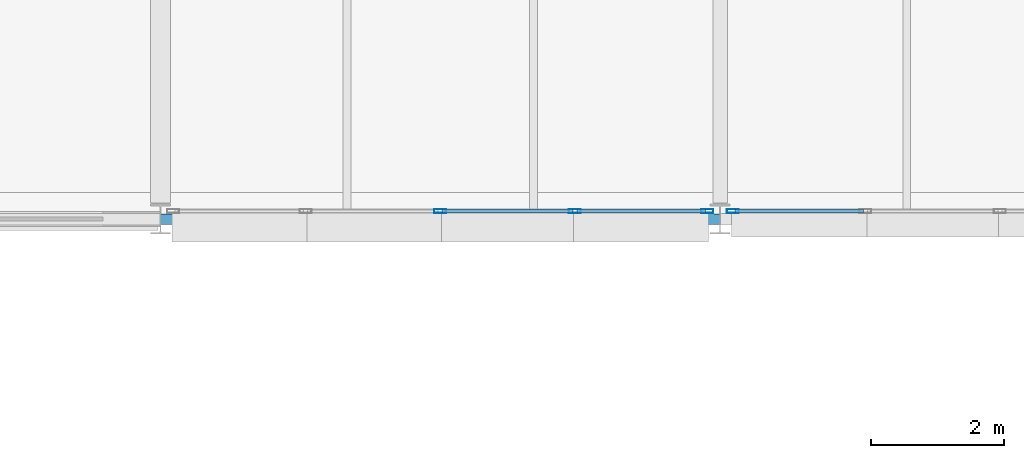
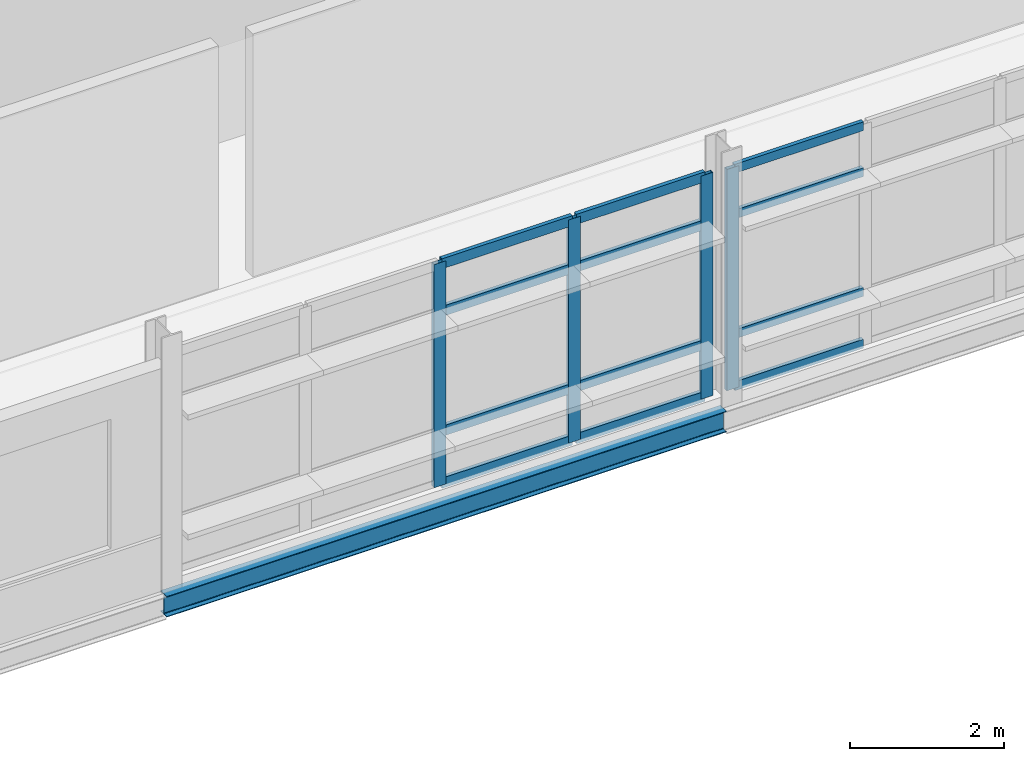
# One storey, part 57 of 103: 16 members, 1 beam, 2 elements without a shape of their own.
"""IFC4 building model written with IfcOpenShell, lengths in metres."""

from ifc_helpers import new_model, si_unit, direction, frame, origin, origin_2d, place, context, subcontext, project, spatial, hollow_rectangle, i_section, extrude, material, material_profile, profile_set, type_object, element, aggregate, save


model = new_model("IFC4")

# Units and contexts
model_context = context("Model", 3, precision=1e-05, world=origin(), true_north=direction((0.0, 1.0)))
body_context = subcontext(model_context, "Body", "Model", "MODEL_VIEW")
ifc_project = project(units=[si_unit("LENGTHUNIT", "METRE"), si_unit("AREAUNIT", "SQUARE_METRE"), si_unit("VOLUMEUNIT", "CUBIC_METRE"), si_unit("PLANEANGLEUNIT", "RADIAN"), si_unit("MASSUNIT", "GRAM", prefix="KILO")], contexts=[model_context])

# Site, building, storey
site_placement = place(None, origin())
site = spatial("IfcSite", under=ifc_project, at=site_placement, CompositionType="ELEMENT")
building_placement = place(site_placement, origin())
building = spatial("IfcBuilding", under=site, at=building_placement, Name="Mersafa Astral City Hall", CompositionType="ELEMENT")
storey_placement = place(building_placement, frame((0.0, 0.0, 18.0)))
storey = spatial("IfcBuildingStorey", under=building, at=storey_placement, Name="L04", CompositionType="ELEMENT", Elevation=18.0)

# Curtain wall, members
ifc_material_1 = material(Name="Anodised bronze aluminium framing", Category="aluminium")
curtain_wall_type_1 = type_object("IfcCurtainWallType", Name="ENV-CW-3", PredefinedType="USERDEFINED", material=ifc_material_1)
curtain_wall_1_placement = place(storey_placement, origin())
curtain_wall_1 = element("IfcCurtainWall", 1, at=curtain_wall_1_placement, inside=storey, type_object=curtain_wall_type_1, Name="L04 Unitised solar curtain wall 218", ObjectType="UNITISED CURTAIN WALL", PredefinedType="USERDEFINED")
ifc_material_profile_1 = material_profile(ifc_material_1, hollow_rectangle(XDim=0.06005859375, YDim=0.179931640625, WallThickness=0.00390625, at=origin_2d()), Name="RHS 60x180x4")
ifc_profile_set_1 = profile_set([ifc_material_profile_1], Name="Anodised bronze aluminium framing")
member_type_1 = type_object("IfcMemberType", Name="ENV-CW-MUL-1", PredefinedType="MULLION", material=ifc_profile_set_1)
member_1_placement = place(storey_placement, frame((130.199951171875, 117.719970703125, -0.001953125), z_axis=(0.0, 0.0, 1.0), x_axis=(0.0, 1.0, 0.0)))
member_1 = element("IfcMember", 2, at=member_1_placement, type_object=member_type_1, Name="CW-3 mullion 3", PredefinedType="MULLION", context=body_context, shape_type="SweptSolid", body=[
    extrude(hollow_rectangle(XDim=0.06005859375, YDim=0.179931640625, WallThickness=0.00390625, at=origin_2d()), origin(), (0.0, 0.0, 1.0), 3.5390625),
])
member_2_placement = place(storey_placement, frame((132.218994140625, 117.719970703125, -0.001953125), z_axis=(0.0, 0.0, 1.0), x_axis=(0.0, 1.0, 0.0)))
member_2 = element("IfcMember", 3, at=member_2_placement, type_object=member_type_1, Name="CW-3 mullion 4", PredefinedType="MULLION", context=body_context, shape_type="SweptSolid", body=[
    extrude(hollow_rectangle(XDim=0.06005859375, YDim=0.179931640625, WallThickness=0.00390625, at=origin_2d()), origin(), (0.0, 0.0, 1.0), 3.5390625),
])
member_3_placement = place(storey_placement, frame((134.2080078125, 117.719970703125, -0.001953125), z_axis=(0.0, 0.0, 1.0), x_axis=(0.0, 1.0, 0.0)))
member_3 = element("IfcMember", 4, at=member_3_placement, type_object=member_type_1, Name="CW-3 mullion 5", PredefinedType="MULLION", context=body_context, shape_type="SweptSolid", body=[
    extrude(hollow_rectangle(XDim=0.06005859375, YDim=0.179931640625, WallThickness=0.00390625, at=origin_2d()), origin(), (0.0, 0.0, 1.0), 3.5390625),
])

curtain_wall_type_2 = type_object("IfcCurtainWallType", Name="ENV-CW-4", PredefinedType="USERDEFINED", material=ifc_material_1)
curtain_wall_2_placement = place(storey_placement, origin())
curtain_wall_2 = element("IfcCurtainWall", 5, at=curtain_wall_2_placement, inside=storey, type_object=curtain_wall_type_2, Name="L04 Unitised solar curtain wall 219", ObjectType="UNITISED CURTAIN WALL", PredefinedType="USERDEFINED")
member_4_placement = place(storey_placement, frame((134.592041015625, 117.719970703125, -0.001953125), z_axis=(0.0, 0.0, 1.0), x_axis=(0.0, 1.0, 0.0)))
member_4 = element("IfcMember", 6, at=member_4_placement, type_object=member_type_1, Name="CW-4 mullion 1", PredefinedType="MULLION", context=body_context, shape_type="SweptSolid", body=[
    extrude(hollow_rectangle(XDim=0.06005859375, YDim=0.179931640625, WallThickness=0.00390625, at=origin_2d()), origin(), (0.0, 0.0, 1.0), 3.509033203125),
])
ifc_material_profile_2 = material_profile(ifc_material_1, hollow_rectangle(XDim=0.06005859375, YDim=0.139892578125, WallThickness=0.00390625, at=origin_2d()), Name="RHS 60x140x4")
ifc_profile_set_2 = profile_set([ifc_material_profile_2], Name="Anodised bronze aluminium framing")
member_type_2 = type_object("IfcMemberType", Name="ENV-CW-TRN-1", PredefinedType="USERDEFINED", material=ifc_profile_set_2)
member_5_placement = place(storey_placement, frame((134.6220703125, 117.719970703125, 0.028076171875), z_axis=(1.0, 0.0, 0.0), x_axis=(0.0, 1.0, 0.0)))
member_5 = element("IfcMember", 7, at=member_5_placement, type_object=member_type_2, Name="CW-4 transom 1.1", ObjectType="TRANSOM", PredefinedType="USERDEFINED", context=body_context, shape_type="SweptSolid", body=[
    extrude(hollow_rectangle(XDim=0.06005859375, YDim=0.139892578125, WallThickness=0.00390625, at=origin_2d()), origin(), (0.0, 0.0, 1.0), 1.928955078125),
])
member_6_placement = place(storey_placement, frame((134.6220703125, 117.719970703125, 0.85009765625), z_axis=(1.0, 0.0, 0.0), x_axis=(0.0, 1.0, 0.0)))
member_6 = element("IfcMember", 8, at=member_6_placement, type_object=member_type_2, Name="CW-4 transom 1.2", ObjectType="TRANSOM", PredefinedType="USERDEFINED", context=body_context, shape_type="SweptSolid", body=[
    extrude(hollow_rectangle(XDim=0.06005859375, YDim=0.139892578125, WallThickness=0.00390625, at=origin_2d()), origin(), (0.0, 0.0, 1.0), 1.928955078125),
])
member_7_placement = place(storey_placement, frame((134.6220703125, 117.719970703125, 2.75), z_axis=(1.0, 0.0, 0.0), x_axis=(0.0, 1.0, 0.0)))
member_7 = element("IfcMember", 9, at=member_7_placement, type_object=member_type_2, Name="CW-4 transom 1.3", ObjectType="TRANSOM", PredefinedType="USERDEFINED", context=body_context, shape_type="SweptSolid", body=[
    extrude(hollow_rectangle(XDim=0.06005859375, YDim=0.139892578125, WallThickness=0.00390625, at=origin_2d()), origin(), (0.0, 0.0, 1.0), 1.928955078125),
])
member_8_placement = place(storey_placement, frame((134.6220703125, 117.719970703125, 3.47705078125), z_axis=(1.0, 0.0, 0.0), x_axis=(0.0, 1.0, 0.0)))
member_8 = element("IfcMember", 10, at=member_8_placement, type_object=member_type_2, Name="CW-4 transom 1.4", ObjectType="TRANSOM", PredefinedType="USERDEFINED", context=body_context, shape_type="SweptSolid", body=[
    extrude(hollow_rectangle(XDim=0.06005859375, YDim=0.139892578125, WallThickness=0.00390625, at=origin_2d()), origin(), (0.0, 0.0, 1.0), 1.928955078125),
])
aggregate(curtain_wall_2, [member_4, member_5, member_6, member_7, member_8])

# Member
ifc_material_profile_3 = material_profile(ifc_material_1, hollow_rectangle(XDim=0.06005859375, YDim=0.159912109375, WallThickness=0.00390625, at=origin_2d()), Name="RHS 60x160x4")
ifc_profile_set_3 = profile_set([ifc_material_profile_3], Name="Anodised bronze aluminium framing")
member_type_3 = type_object("IfcMemberType", Name="ENV-CW-TRN-2", PredefinedType="USERDEFINED", material=ifc_profile_set_3)
member_9_placement = place(storey_placement, frame((130.22998046875, 117.719970703125, 0.028076171875), z_axis=(1.0, 0.0, 0.0), x_axis=(0.0, 1.0, 0.0)))
member_9 = element("IfcMember", 11, at=member_9_placement, type_object=member_type_3, Name="CW-3 transom 3.1", ObjectType="TRANSOM", PredefinedType="USERDEFINED", context=body_context, shape_type="SweptSolid", body=[
    extrude(hollow_rectangle(XDim=0.06005859375, YDim=0.159912109375, WallThickness=0.00390625, at=origin_2d()), origin(), (0.0, 0.0, 1.0), 1.958984375),
])

member_10_placement = place(storey_placement, frame((130.22998046875, 117.719970703125, 0.85009765625), z_axis=(1.0, 0.0, 0.0), x_axis=(0.0, 1.0, 0.0)))
member_10 = element("IfcMember", 12, at=member_10_placement, type_object=member_type_3, Name="CW-3 transom 3.2", ObjectType="TRANSOM", PredefinedType="USERDEFINED", context=body_context, shape_type="SweptSolid", body=[
    extrude(hollow_rectangle(XDim=0.06005859375, YDim=0.159912109375, WallThickness=0.00390625, at=origin_2d()), origin(), (0.0, 0.0, 1.0), 1.958984375),
])

member_11_placement = place(storey_placement, frame((130.22998046875, 117.719970703125, 2.75), z_axis=(1.0, 0.0, 0.0), x_axis=(0.0, 1.0, 0.0)))
member_11 = element("IfcMember", 13, at=member_11_placement, type_object=member_type_3, Name="CW-3 transom 3.3", ObjectType="TRANSOM", PredefinedType="USERDEFINED", context=body_context, shape_type="SweptSolid", body=[
    extrude(hollow_rectangle(XDim=0.06005859375, YDim=0.159912109375, WallThickness=0.00390625, at=origin_2d()), origin(), (0.0, 0.0, 1.0), 1.958984375),
])

member_12_placement = place(storey_placement, frame((130.22998046875, 117.719970703125, 3.507080078125), z_axis=(1.0, 0.0, 0.0), x_axis=(0.0, 1.0, 0.0)))
member_12 = element("IfcMember", 14, at=member_12_placement, type_object=member_type_3, Name="CW-3 transom 3.4", ObjectType="TRANSOM", PredefinedType="USERDEFINED", context=body_context, shape_type="SweptSolid", body=[
    extrude(hollow_rectangle(XDim=0.06005859375, YDim=0.159912109375, WallThickness=0.00390625, at=origin_2d()), origin(), (0.0, 0.0, 1.0), 1.958984375),
])

member_13_placement = place(storey_placement, frame((132.2490234375, 117.719970703125, 0.028076171875), z_axis=(1.0, 0.0, 0.0), x_axis=(0.0, 1.0, 0.0)))
member_13 = element("IfcMember", 15, at=member_13_placement, type_object=member_type_3, Name="CW-3 transom 4.1", ObjectType="TRANSOM", PredefinedType="USERDEFINED", context=body_context, shape_type="SweptSolid", body=[
    extrude(hollow_rectangle(XDim=0.06005859375, YDim=0.159912109375, WallThickness=0.00390625, at=origin_2d()), origin(), (0.0, 0.0, 1.0), 1.928955078125),
])

member_14_placement = place(storey_placement, frame((132.2490234375, 117.719970703125, 0.85009765625), z_axis=(1.0, 0.0, 0.0), x_axis=(0.0, 1.0, 0.0)))
member_14 = element("IfcMember", 16, at=member_14_placement, type_object=member_type_3, Name="CW-3 transom 4.2", ObjectType="TRANSOM", PredefinedType="USERDEFINED", context=body_context, shape_type="SweptSolid", body=[
    extrude(hollow_rectangle(XDim=0.06005859375, YDim=0.159912109375, WallThickness=0.00390625, at=origin_2d()), origin(), (0.0, 0.0, 1.0), 1.928955078125),
])

member_15_placement = place(storey_placement, frame((132.2490234375, 117.719970703125, 2.75), z_axis=(1.0, 0.0, 0.0), x_axis=(0.0, 1.0, 0.0)))
member_15 = element("IfcMember", 17, at=member_15_placement, type_object=member_type_3, Name="CW-3 transom 4.3", ObjectType="TRANSOM", PredefinedType="USERDEFINED", context=body_context, shape_type="SweptSolid", body=[
    extrude(hollow_rectangle(XDim=0.06005859375, YDim=0.159912109375, WallThickness=0.00390625, at=origin_2d()), origin(), (0.0, 0.0, 1.0), 1.928955078125),
])

member_16_placement = place(storey_placement, frame((132.2490234375, 117.719970703125, 3.507080078125), z_axis=(1.0, 0.0, 0.0), x_axis=(0.0, 1.0, 0.0)))
member_16 = element("IfcMember", 18, at=member_16_placement, type_object=member_type_3, Name="CW-3 transom 4.4", ObjectType="TRANSOM", PredefinedType="USERDEFINED", context=body_context, shape_type="SweptSolid", body=[
    extrude(hollow_rectangle(XDim=0.06005859375, YDim=0.159912109375, WallThickness=0.00390625, at=origin_2d()), origin(), (0.0, 0.0, 1.0), 1.928955078125),
])

aggregate(curtain_wall_1, [member_1, member_2, member_3, member_9, member_10, member_11, member_12, member_13, member_14, member_15, member_16])

# Beam
ifc_material_2 = material(Name="Steel S355", Category="steel")
ifc_material_profile_4 = material_profile(ifc_material_2, i_section(OverallWidth=0.159912109375, OverallDepth=0.330078125, WebThickness=0.007568359375, FlangeThickness=0.011474609375, FilletRadius=0.01806640625, at=origin_2d()), Name="IPE 330")
ifc_profile_set_4 = profile_set([ifc_material_profile_4], Name="Steel S355")
beam_type = type_object("IfcBeamType", Name="STR-BM-SPANDREL-IPE330", PredefinedType="SPANDREL", material=ifc_profile_set_4)
beam_placement = place(storey_placement, frame((126.0029296875, 117.60009765625, -0.35009765625), z_axis=(1.0, 0.0, 0.0), x_axis=(0.0, 1.0, 0.0)))
element("IfcBeam", 19, at=beam_placement, inside=storey, type_object=beam_type, Name="L04 Primary girder X 15-14", PredefinedType="SPANDREL", context=body_context, shape_type="SweptSolid", body=[
    extrude(i_section(OverallWidth=0.159912109375, OverallDepth=0.330078125, WebThickness=0.007568359375, FlangeThickness=0.011474609375, FilletRadius=0.01806640625, at=origin_2d()), origin(), (0.0, 0.0, 1.0), 8.39404296875),
])

save(model, "model.ifc")
